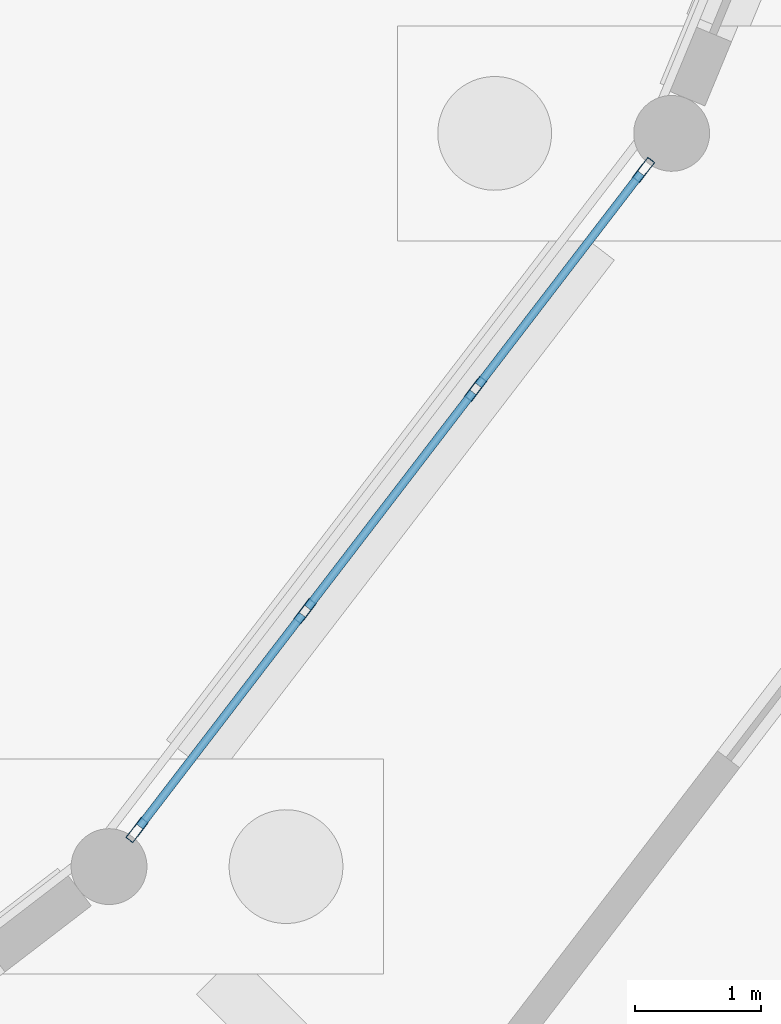
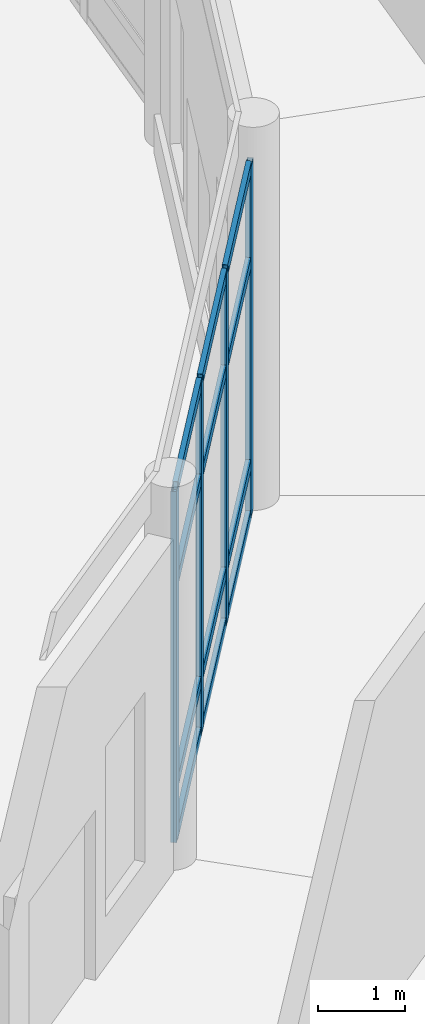
# One storey, part 43 of 137: 16 members, 1 element without a shape of its own.
"""IFC4 building model written with IfcOpenShell, lengths in metres."""

from ifc_helpers import new_model, si_unit, direction, frame, origin, origin_2d, place, context, subcontext, project, spatial, hollow_rectangle, extrude, material, material_profile, profile_set, type_object, element, aggregate, save


model = new_model("IFC4")

# Units and contexts
model_context = context("Model", 3, precision=1e-05, world=origin(), true_north=direction((0.0, 1.0)))
body_context = subcontext(model_context, "Body", "Model", "MODEL_VIEW")
ifc_project = project(units=[si_unit("LENGTHUNIT", "METRE"), si_unit("AREAUNIT", "SQUARE_METRE"), si_unit("VOLUMEUNIT", "CUBIC_METRE"), si_unit("PLANEANGLEUNIT", "RADIAN"), si_unit("MASSUNIT", "GRAM", prefix="KILO")], contexts=[model_context])

# Site, building, storey
site_placement = place(None, origin())
site = spatial("IfcSite", under=ifc_project, at=site_placement, CompositionType="ELEMENT")
building_placement = place(site_placement, origin())
building = spatial("IfcBuilding", under=site, at=building_placement, Name="Vondelvale Polytechnic", CompositionType="ELEMENT")
storey_placement = place(building_placement, origin())
storey = spatial("IfcBuildingStorey", under=building, at=storey_placement, Name="L00", CompositionType="ELEMENT", Elevation=0.0)

# Curtain wall, members
ifc_material = material(Name="Anodised extruded aluminium 6063-T6", Category="aluminium")
curtain_wall_type = type_object("IfcCurtainWallType", Name="CW-RING-CLOISTER", PredefinedType="NOTDEFINED", material=ifc_material)
curtain_wall_placement = place(storey_placement, origin())
curtain_wall = element("IfcCurtainWall", 1, at=curtain_wall_placement, inside=storey, type_object=curtain_wall_type, Name="L00 architectural curtain wall CW-03-348", PredefinedType="NOTDEFINED")
ifc_material_profile_1 = material_profile(ifc_material, hollow_rectangle(XDim=0.070068359375, YDim=0.199951171875, WallThickness=0.00390625, at=origin_2d()), Name="CW-MUL-200x70")
ifc_profile_set_1 = profile_set([ifc_material_profile_1], Name="Anodised extruded aluminium 6063-T6")
member_type_1 = type_object("IfcMemberType", Name="CW-MUL-70x200", PredefinedType="MULLION", material=ifc_profile_set_1)
member_1_placement = place(storey_placement, frame((122.0205078125, 52.489501953125, 0.0), z_axis=(0.0, 0.0, 1.0), x_axis=(-0.793363861089, 0.608747717793, 0.0)))
member_1 = element("IfcMember", 2, at=member_1_placement, type_object=member_type_1, Name="CW-03-348 mullion 1", PredefinedType="MULLION", context=body_context, shape_type="SweptSolid", body=[
    extrude(hollow_rectangle(XDim=0.070068359375, YDim=0.199951171875, WallThickness=0.00390625, at=origin_2d()), origin(), (0.0, 0.0, 1.0), 4.949951171875),
])
member_2_placement = place(storey_placement, frame((123.348876953125, 54.220947265625, 0.0), z_axis=(0.0, 0.0, 1.0), x_axis=(-0.793363861089, 0.608747717793, 0.0)))
member_2 = element("IfcMember", 3, at=member_2_placement, type_object=member_type_1, Name="CW-03-348 mullion 2", PredefinedType="MULLION", context=body_context, shape_type="SweptSolid", body=[
    extrude(hollow_rectangle(XDim=0.070068359375, YDim=0.199951171875, WallThickness=0.00390625, at=origin_2d()), origin(), (0.0, 0.0, 1.0), 4.949951171875),
])
member_3_placement = place(storey_placement, frame((124.69873046875, 55.97998046875, 0.0), z_axis=(0.0, 0.0, 1.0), x_axis=(-0.793363861089, 0.608747717793, 0.0)))
member_3 = element("IfcMember", 4, at=member_3_placement, type_object=member_type_1, Name="CW-03-348 mullion 3", PredefinedType="MULLION", context=body_context, shape_type="SweptSolid", body=[
    extrude(hollow_rectangle(XDim=0.070068359375, YDim=0.199951171875, WallThickness=0.00390625, at=origin_2d()), origin(), (0.0, 0.0, 1.0), 4.949951171875),
])
member_4_placement = place(storey_placement, frame((126.02734375, 57.71142578125, 0.0), z_axis=(0.0, 0.0, 1.0), x_axis=(-0.793363861089, 0.608747717793, 0.0)))
member_4 = element("IfcMember", 5, at=member_4_placement, type_object=member_type_1, Name="CW-03-348 mullion 4", PredefinedType="MULLION", context=body_context, shape_type="SweptSolid", body=[
    extrude(hollow_rectangle(XDim=0.070068359375, YDim=0.199951171875, WallThickness=0.00390625, at=origin_2d()), origin(), (0.0, 0.0, 1.0), 4.949951171875),
])
ifc_material_profile_2 = material_profile(ifc_material, hollow_rectangle(XDim=0.06494140625, YDim=0.159912109375, WallThickness=0.00341796875, at=origin_2d()), Name="CW-TRN-160x65")
ifc_profile_set_2 = profile_set([ifc_material_profile_2], Name="Anodised extruded aluminium 6063-T6")
member_type_2 = type_object("IfcMemberType", Name="CW-TRN-70x160", PredefinedType="USERDEFINED", material=ifc_profile_set_2)
member_5_placement = place(storey_placement, frame((122.041748046875, 52.517333984375, 0.032470703125), z_axis=(0.608766343448, 0.793349569285, 0.0), x_axis=(-0.793349569285, 0.608766343448, 0.0)))
member_5 = element("IfcMember", 6, at=member_5_placement, type_object=member_type_2, Name="CW-03-348 transom 1.1", ObjectType="TRANSOM", PredefinedType="USERDEFINED", context=body_context, shape_type="SweptSolid", body=[
    extrude(hollow_rectangle(XDim=0.06494140625, YDim=0.159912109375, WallThickness=0.00341796875, at=origin_2d()), origin(), (0.0, 0.0, 1.0), 2.1123046875),
])
member_6_placement = place(storey_placement, frame((122.041748046875, 52.517333984375, 0.75), z_axis=(0.608766343448, 0.793349569285, 0.0), x_axis=(-0.793349569285, 0.608766343448, 0.0)))
member_6 = element("IfcMember", 7, at=member_6_placement, type_object=member_type_2, Name="CW-03-348 transom 1.2", ObjectType="TRANSOM", PredefinedType="USERDEFINED", context=body_context, shape_type="SweptSolid", body=[
    extrude(hollow_rectangle(XDim=0.06494140625, YDim=0.159912109375, WallThickness=0.00341796875, at=origin_2d()), origin(), (0.0, 0.0, 1.0), 2.1123046875),
])
member_7_placement = place(storey_placement, frame((122.041748046875, 52.517333984375, 3.60009765625), z_axis=(0.608766343448, 0.793349569285, 0.0), x_axis=(-0.793349569285, 0.608766343448, 0.0)))
member_7 = element("IfcMember", 8, at=member_7_placement, type_object=member_type_2, Name="CW-03-348 transom 1.3", ObjectType="TRANSOM", PredefinedType="USERDEFINED", context=body_context, shape_type="SweptSolid", body=[
    extrude(hollow_rectangle(XDim=0.06494140625, YDim=0.159912109375, WallThickness=0.00341796875, at=origin_2d()), origin(), (0.0, 0.0, 1.0), 2.1123046875),
])
member_8_placement = place(storey_placement, frame((122.041748046875, 52.517333984375, 4.91748046875), z_axis=(0.608766343448, 0.793349569285, 0.0), x_axis=(-0.793349569285, 0.608766343448, 0.0)))
member_8 = element("IfcMember", 9, at=member_8_placement, type_object=member_type_2, Name="CW-03-348 transom 1.4", ObjectType="TRANSOM", PredefinedType="USERDEFINED", context=body_context, shape_type="SweptSolid", body=[
    extrude(hollow_rectangle(XDim=0.06494140625, YDim=0.159912109375, WallThickness=0.00341796875, at=origin_2d()), origin(), (0.0, 0.0, 1.0), 2.1123046875),
])
member_9_placement = place(storey_placement, frame((123.370361328125, 54.248779296875, 0.032470703125), z_axis=(0.608732251269, 0.793375728306, 0.0), x_axis=(-0.793375728306, 0.608732251269, 0.0)))
member_9 = element("IfcMember", 10, at=member_9_placement, type_object=member_type_2, Name="CW-03-348 transom 2.1", ObjectType="TRANSOM", PredefinedType="USERDEFINED", context=body_context, shape_type="SweptSolid", body=[
    extrude(hollow_rectangle(XDim=0.06494140625, YDim=0.159912109375, WallThickness=0.00341796875, at=origin_2d()), origin(), (0.0, 0.0, 1.0), 2.147216796875),
])
member_10_placement = place(storey_placement, frame((123.370361328125, 54.248779296875, 0.75), z_axis=(0.608732251269, 0.793375728306, 0.0), x_axis=(-0.793375728306, 0.608732251269, 0.0)))
member_10 = element("IfcMember", 11, at=member_10_placement, type_object=member_type_2, Name="CW-03-348 transom 2.2", ObjectType="TRANSOM", PredefinedType="USERDEFINED", context=body_context, shape_type="SweptSolid", body=[
    extrude(hollow_rectangle(XDim=0.06494140625, YDim=0.159912109375, WallThickness=0.00341796875, at=origin_2d()), origin(), (0.0, 0.0, 1.0), 2.147216796875),
])
member_11_placement = place(storey_placement, frame((123.370361328125, 54.248779296875, 3.60009765625), z_axis=(0.608732251269, 0.793375728306, 0.0), x_axis=(-0.793375728306, 0.608732251269, 0.0)))
member_11 = element("IfcMember", 12, at=member_11_placement, type_object=member_type_2, Name="CW-03-348 transom 2.3", ObjectType="TRANSOM", PredefinedType="USERDEFINED", context=body_context, shape_type="SweptSolid", body=[
    extrude(hollow_rectangle(XDim=0.06494140625, YDim=0.159912109375, WallThickness=0.00341796875, at=origin_2d()), origin(), (0.0, 0.0, 1.0), 2.147216796875),
])
member_12_placement = place(storey_placement, frame((123.370361328125, 54.248779296875, 4.91748046875), z_axis=(0.608732251269, 0.793375728306, 0.0), x_axis=(-0.793375728306, 0.608732251269, 0.0)))
member_12 = element("IfcMember", 13, at=member_12_placement, type_object=member_type_2, Name="CW-03-348 transom 2.4", ObjectType="TRANSOM", PredefinedType="USERDEFINED", context=body_context, shape_type="SweptSolid", body=[
    extrude(hollow_rectangle(XDim=0.06494140625, YDim=0.159912109375, WallThickness=0.00341796875, at=origin_2d()), origin(), (0.0, 0.0, 1.0), 2.147216796875),
])
member_13_placement = place(storey_placement, frame((124.719970703125, 56.0078125, 0.032470703125), z_axis=(0.608783266169, 0.793336583571, 0.0), x_axis=(-0.793336583571, 0.608783266169, 0.0)))
member_13 = element("IfcMember", 14, at=member_13_placement, type_object=member_type_2, Name="CW-03-348 transom 3.1", ObjectType="TRANSOM", PredefinedType="USERDEFINED", context=body_context, shape_type="SweptSolid", body=[
    extrude(hollow_rectangle(XDim=0.06494140625, YDim=0.159912109375, WallThickness=0.00341796875, at=origin_2d()), origin(), (0.0, 0.0, 1.0), 2.112548828125),
])
member_14_placement = place(storey_placement, frame((124.719970703125, 56.0078125, 0.75), z_axis=(0.608783266169, 0.793336583571, 0.0), x_axis=(-0.793336583571, 0.608783266169, 0.0)))
member_14 = element("IfcMember", 15, at=member_14_placement, type_object=member_type_2, Name="CW-03-348 transom 3.2", ObjectType="TRANSOM", PredefinedType="USERDEFINED", context=body_context, shape_type="SweptSolid", body=[
    extrude(hollow_rectangle(XDim=0.06494140625, YDim=0.159912109375, WallThickness=0.00341796875, at=origin_2d()), origin(), (0.0, 0.0, 1.0), 2.112548828125),
])
member_15_placement = place(storey_placement, frame((124.719970703125, 56.0078125, 3.60009765625), z_axis=(0.608783266169, 0.793336583571, 0.0), x_axis=(-0.793336583571, 0.608783266169, 0.0)))
member_15 = element("IfcMember", 16, at=member_15_placement, type_object=member_type_2, Name="CW-03-348 transom 3.3", ObjectType="TRANSOM", PredefinedType="USERDEFINED", context=body_context, shape_type="SweptSolid", body=[
    extrude(hollow_rectangle(XDim=0.06494140625, YDim=0.159912109375, WallThickness=0.00341796875, at=origin_2d()), origin(), (0.0, 0.0, 1.0), 2.112548828125),
])
member_16_placement = place(storey_placement, frame((124.719970703125, 56.0078125, 4.91748046875), z_axis=(0.608783266169, 0.793336583571, 0.0), x_axis=(-0.793336583571, 0.608783266169, 0.0)))
member_16 = element("IfcMember", 17, at=member_16_placement, type_object=member_type_2, Name="CW-03-348 transom 3.4", ObjectType="TRANSOM", PredefinedType="USERDEFINED", context=body_context, shape_type="SweptSolid", body=[
    extrude(hollow_rectangle(XDim=0.06494140625, YDim=0.159912109375, WallThickness=0.00341796875, at=origin_2d()), origin(), (0.0, 0.0, 1.0), 2.112548828125),
])
aggregate(curtain_wall, [member_1, member_2, member_3, member_4, member_5, member_6, member_7, member_8, member_9, member_10, member_11, member_12, member_13, member_14, member_15, member_16])

save(model, "model.ifc")
